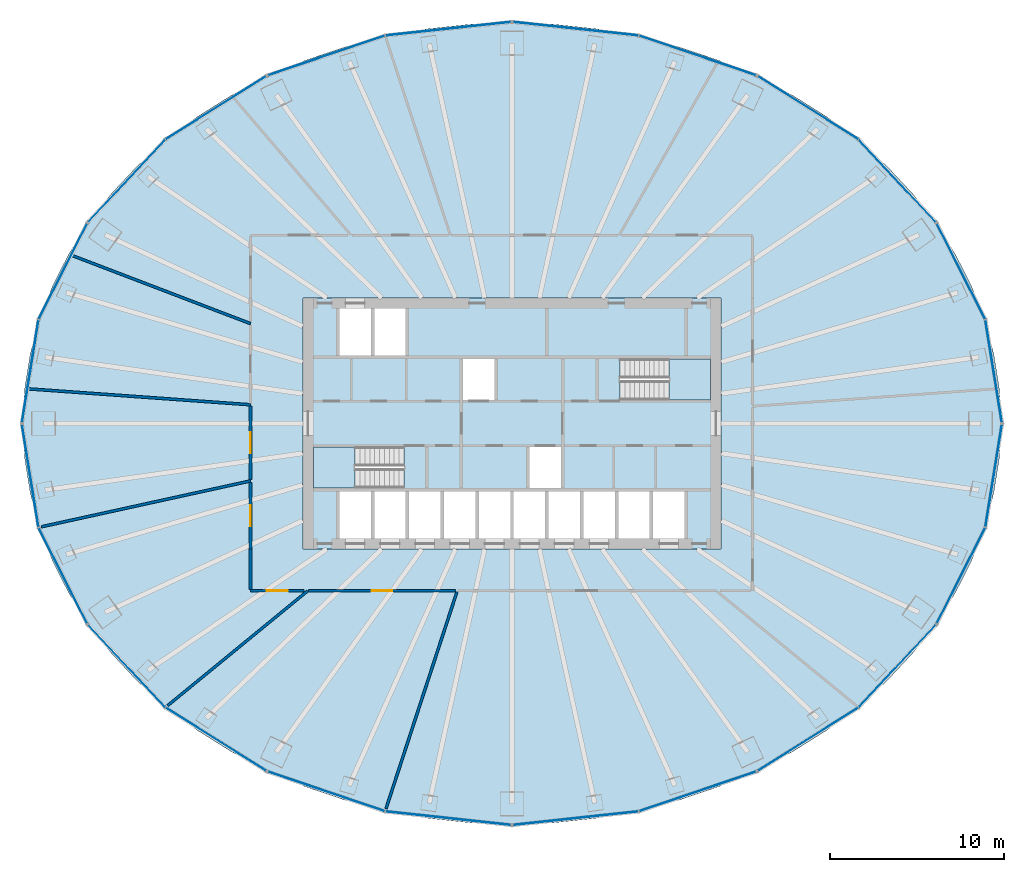
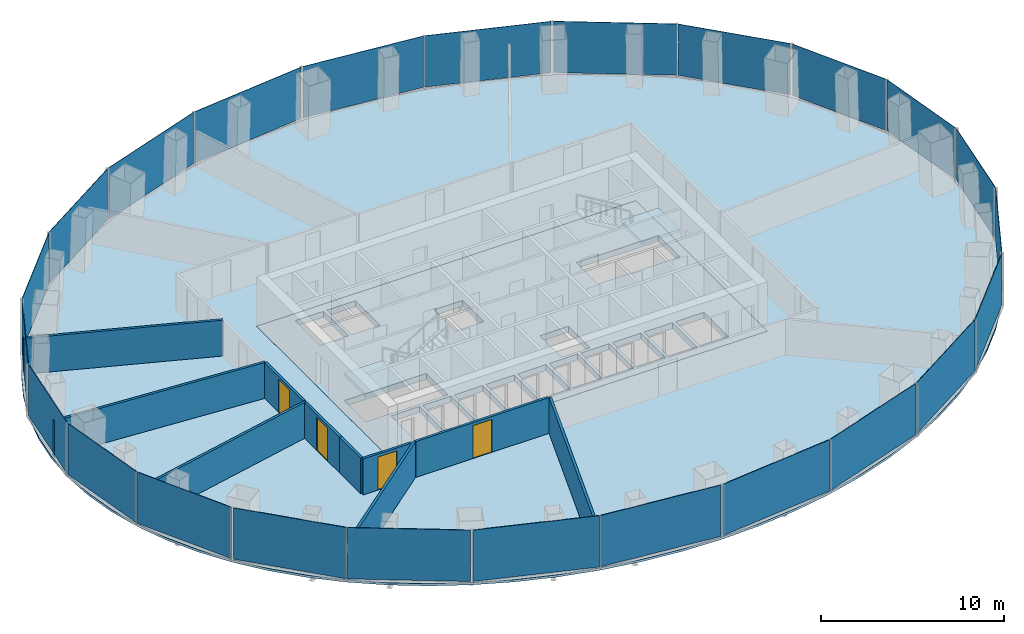
# One storey, part 7 of 11: 24 plates, 10 walls, 4 doors, 4 slabs, 4 openings, 14 elements without a shape of their own.
"""IFC4 building model written with IfcOpenShell, lengths in metres."""

from ifc_helpers import new_model, si_unit, direction, frame, frame_2d, origin, origin_2d, place, context, subcontext, project, spatial, polyline, rectangle, outline, extrude, material, layer, layer_set, type_object, element, fill, aggregate, save


model = new_model("IFC4")

# Units and contexts
model_context = context("Model", 3, precision=1e-05, world=origin(), true_north=direction((0.0, 1.0)))
body_context = subcontext(model_context, "Body", "Model", "MODEL_VIEW")
ifc_project = project(units=[si_unit("LENGTHUNIT", "METRE"), si_unit("AREAUNIT", "SQUARE_METRE"), si_unit("VOLUMEUNIT", "CUBIC_METRE"), si_unit("PLANEANGLEUNIT", "RADIAN"), si_unit("MASSUNIT", "GRAM", prefix="KILO")], contexts=[model_context])

# Site, building, storey
site_placement = place(None, origin())
site = spatial("IfcSite", under=ifc_project, at=site_placement, CompositionType="ELEMENT")
building_placement = place(site_placement, origin())
building = spatial("IfcBuilding", under=site, at=building_placement, Name="Siaravel Broadcast Tower", CompositionType="ELEMENT")
storey_placement = place(building_placement, frame((0.0, 0.0, 44.5)))
storey = spatial("IfcBuildingStorey", under=building, at=storey_placement, Name="L09", CompositionType="ELEMENT", Elevation=44.5)

# Curtain wall, plates
ifc_material_1 = material(Name="Aluminium 6063-T6", Category="aluminium")
ifc_layer_1 = layer(ifc_material_1, 0.219970703125)
ifc_layer_set_1 = layer_set([ifc_layer_1], Name="Aluminium 6063-T6")
curtain_wall_type = type_object("IfcCurtainWallType", Name="Unitised curtain wall, zone 1", PredefinedType="NOTDEFINED", material=ifc_layer_set_1)
curtain_wall_1_placement = place(storey_placement, origin())
curtain_wall_1 = element("IfcCurtainWall", 1, at=curtain_wall_1_placement, inside=storey, type_object=curtain_wall_type, Name="L09 Unitised curtain wall, zone 1 01", PredefinedType="NOTDEFINED")
ifc_material_2 = material(Name="Tinted laminated glass", Category="glass")
ifc_layer_2 = layer(ifc_material_2, 0.031982421875)
ifc_layer_set_2 = layer_set([ifc_layer_2], Name="Tinted laminated glass")
plate_type = type_object("IfcPlateType", Name="CW-Z1 glass panel", PredefinedType="CURTAIN_PANEL", material=ifc_layer_set_2)
plate_1_placement = place(storey_placement, frame((27.6337890625, 3.0, 0.1201171875), z_axis=(0.0, 0.0, 1.0), x_axis=(-0.158685802, 0.987329133, 0.0)))
plate_1 = element("IfcPlate", 2, at=plate_1_placement, type_object=plate_type, Name="CW-Z1 glass panel", PredefinedType="CURTAIN_PANEL", context=body_context, shape_type="SweptSolid", body=[
    extrude(rectangle(XDim=5.937255859375, YDim=0.031982421875, at=origin_2d()), origin(), (0.0, 0.0, 1.0), 3.429931640625),
])
plate_2_placement = place(storey_placement, frame((25.760009765625, 8.72900390625, 0.1201171875), z_axis=(0.0, 0.0, 1.0), x_axis=(-0.451261399, 0.892391814, 0.0)))
plate_2 = element("IfcPlate", 3, at=plate_2_placement, type_object=plate_type, Name="CW-Z1 glass panel", PredefinedType="CURTAIN_PANEL", context=body_context, shape_type="SweptSolid", body=[
    extrude(rectangle(XDim=6.123046875, YDim=0.031982421875, at=origin_2d()), origin(), (0.0, 0.0, 1.0), 3.429931640625),
])
aggregate(curtain_wall_1, [plate_1, plate_2])

curtain_wall_2_placement = place(storey_placement, origin())
curtain_wall_2 = element("IfcCurtainWall", 4, at=curtain_wall_2_placement, inside=storey, type_object=curtain_wall_type, Name="L09 Unitised curtain wall, zone 1 02", PredefinedType="NOTDEFINED")
plate_3_placement = place(storey_placement, frame((22.10009765625, 13.921875, 0.1201171875), z_axis=(0.0, 0.0, 1.0), x_axis=(-0.683655426, 0.729804946, 0.0)))
plate_3 = element("IfcPlate", 5, at=plate_3_placement, type_object=plate_type, Name="CW-Z1 glass panel", PredefinedType="CURTAIN_PANEL", context=body_context, shape_type="SweptSolid", body=[
    extrude(rectangle(XDim=6.4326171875, YDim=0.031982421875, at=origin_2d()), origin(), (0.0, 0.0, 1.0), 3.429931640625),
])
plate_4_placement = place(storey_placement, frame((16.980712890625, 18.115234375, 0.1201171875), z_axis=(0.0, 0.0, 1.0), x_axis=(-0.846650657, 0.532149101, 0.0)))
plate_4 = element("IfcPlate", 6, at=plate_4_placement, type_object=plate_type, Name="CW-Z1 glass panel", PredefinedType="CURTAIN_PANEL", context=body_context, shape_type="SweptSolid", body=[
    extrude(rectangle(XDim=6.772705078125, YDim=0.031982421875, at=origin_2d()), origin(), (0.0, 0.0, 1.0), 3.429931640625),
])
aggregate(curtain_wall_2, [plate_3, plate_4])

curtain_wall_3_placement = place(storey_placement, origin())
curtain_wall_3 = element("IfcCurtainWall", 7, at=curtain_wall_3_placement, inside=storey, type_object=curtain_wall_type, Name="L09 Unitised curtain wall, zone 1 03", PredefinedType="NOTDEFINED")
plate_5_placement = place(storey_placement, frame((10.64794921875, 21.1103515625, 0.1201171875), z_axis=(0.0, 0.0, 1.0), x_axis=(-0.946977246, 0.321300632, 0.0)))
plate_5 = element("IfcPlate", 8, at=plate_5_placement, type_object=plate_type, Name="CW-Z1 glass panel", PredefinedType="CURTAIN_PANEL", context=body_context, shape_type="SweptSolid", body=[
    extrude(rectangle(XDim=7.05419921875, YDim=0.031982421875, at=origin_2d()), origin(), (0.0, 0.0, 1.0), 3.429931640625),
])
plate_6_placement = place(storey_placement, frame((3.65478515625, 22.645263671875, 0.1201171875), z_axis=(0.0, 0.0, 1.0), x_axis=(-0.994235589, 0.107217509, 0.0)))
plate_6 = element("IfcPlate", 9, at=plate_6_placement, type_object=plate_type, Name="CW-Z1 glass panel", PredefinedType="CURTAIN_PANEL", context=body_context, shape_type="SweptSolid", body=[
    extrude(rectangle(XDim=7.2119140625, YDim=0.031982421875, at=origin_2d()), origin(), (0.0, 0.0, 1.0), 3.429931640625),
])
aggregate(curtain_wall_3, [plate_5, plate_6])

curtain_wall_4_placement = place(storey_placement, origin())
curtain_wall_4 = element("IfcCurtainWall", 10, at=curtain_wall_4_placement, inside=storey, type_object=curtain_wall_type, Name="L09 Unitised curtain wall, zone 1 04", PredefinedType="NOTDEFINED")
plate_7_placement = place(storey_placement, frame((-3.65478515625, 22.645263671875, 0.1201171875), z_axis=(0.0, 0.0, 1.0), x_axis=(-0.994235589, -0.107217509, 0.0)))
plate_7 = element("IfcPlate", 11, at=plate_7_placement, type_object=plate_type, Name="CW-Z1 glass panel", PredefinedType="CURTAIN_PANEL", context=body_context, shape_type="SweptSolid", body=[
    extrude(rectangle(XDim=7.2119140625, YDim=0.031982421875, at=origin_2d()), origin(), (0.0, 0.0, 1.0), 3.429931640625),
])
plate_8_placement = place(storey_placement, frame((-10.64794921875, 21.1103515625, 0.1201171875), z_axis=(0.0, 0.0, 1.0), x_axis=(-0.946977246, -0.321300632, 0.0)))
plate_8 = element("IfcPlate", 12, at=plate_8_placement, type_object=plate_type, Name="CW-Z1 glass panel", PredefinedType="CURTAIN_PANEL", context=body_context, shape_type="SweptSolid", body=[
    extrude(rectangle(XDim=7.05419921875, YDim=0.031982421875, at=origin_2d()), origin(), (0.0, 0.0, 1.0), 3.429931640625),
])
aggregate(curtain_wall_4, [plate_7, plate_8])

curtain_wall_5_placement = place(storey_placement, origin())
curtain_wall_5 = element("IfcCurtainWall", 13, at=curtain_wall_5_placement, inside=storey, type_object=curtain_wall_type, Name="L09 Unitised curtain wall, zone 1 05", PredefinedType="NOTDEFINED")
plate_9_placement = place(storey_placement, frame((-16.980712890625, 18.115234375, 0.1201171875), z_axis=(0.0, 0.0, 1.0), x_axis=(-0.846650657, -0.532149101, 0.0)))
plate_9 = element("IfcPlate", 14, at=plate_9_placement, type_object=plate_type, Name="CW-Z1 glass panel", PredefinedType="CURTAIN_PANEL", context=body_context, shape_type="SweptSolid", body=[
    extrude(rectangle(XDim=6.772705078125, YDim=0.031982421875, at=origin_2d()), origin(), (0.0, 0.0, 1.0), 3.429931640625),
])
plate_10_placement = place(storey_placement, frame((-22.10009765625, 13.921875, 0.1201171875), z_axis=(0.0, 0.0, 1.0), x_axis=(-0.683655426, -0.729804946, 0.0)))
plate_10 = element("IfcPlate", 15, at=plate_10_placement, type_object=plate_type, Name="CW-Z1 glass panel", PredefinedType="CURTAIN_PANEL", context=body_context, shape_type="SweptSolid", body=[
    extrude(rectangle(XDim=6.4326171875, YDim=0.031982421875, at=origin_2d()), origin(), (0.0, 0.0, 1.0), 3.429931640625),
])
aggregate(curtain_wall_5, [plate_9, plate_10])

curtain_wall_6_placement = place(storey_placement, origin())
curtain_wall_6 = element("IfcCurtainWall", 16, at=curtain_wall_6_placement, inside=storey, type_object=curtain_wall_type, Name="L09 Unitised curtain wall, zone 1 06", PredefinedType="NOTDEFINED")
plate_11_placement = place(storey_placement, frame((-25.760009765625, 8.72900390625, 0.1201171875), z_axis=(0.0, 0.0, 1.0), x_axis=(-0.451261399, -0.892391814, 0.0)))
plate_11 = element("IfcPlate", 17, at=plate_11_placement, type_object=plate_type, Name="CW-Z1 glass panel", PredefinedType="CURTAIN_PANEL", context=body_context, shape_type="SweptSolid", body=[
    extrude(rectangle(XDim=6.123046875, YDim=0.031982421875, at=origin_2d()), origin(), (0.0, 0.0, 1.0), 3.429931640625),
])
plate_12_placement = place(storey_placement, frame((-27.6337890625, 3.0, 0.1201171875), z_axis=(0.0, 0.0, 1.0), x_axis=(-0.158685802, -0.987329133, 0.0)))
plate_12 = element("IfcPlate", 18, at=plate_12_placement, type_object=plate_type, Name="CW-Z1 glass panel", PredefinedType="CURTAIN_PANEL", context=body_context, shape_type="SweptSolid", body=[
    extrude(rectangle(XDim=5.937255859375, YDim=0.031982421875, at=origin_2d()), origin(), (0.0, 0.0, 1.0), 3.429931640625),
])
aggregate(curtain_wall_6, [plate_11, plate_12])

curtain_wall_7_placement = place(storey_placement, origin())
curtain_wall_7 = element("IfcCurtainWall", 19, at=curtain_wall_7_placement, inside=storey, type_object=curtain_wall_type, Name="L09 Unitised curtain wall, zone 1 07", PredefinedType="NOTDEFINED")
plate_13_placement = place(storey_placement, frame((-27.6337890625, -3.0, 0.1201171875), z_axis=(0.0, 0.0, 1.0), x_axis=(0.158685802, -0.987329133, 0.0)))
plate_13 = element("IfcPlate", 20, at=plate_13_placement, type_object=plate_type, Name="CW-Z1 glass panel", PredefinedType="CURTAIN_PANEL", context=body_context, shape_type="SweptSolid", body=[
    extrude(rectangle(XDim=5.937255859375, YDim=0.031982421875, at=origin_2d()), origin(), (0.0, 0.0, 1.0), 3.429931640625),
])
plate_14_placement = place(storey_placement, frame((-25.760009765625, -8.72900390625, 0.1201171875), z_axis=(0.0, 0.0, 1.0), x_axis=(0.451261399, -0.892391814, 0.0)))
plate_14 = element("IfcPlate", 21, at=plate_14_placement, type_object=plate_type, Name="CW-Z1 glass panel", PredefinedType="CURTAIN_PANEL", context=body_context, shape_type="SweptSolid", body=[
    extrude(rectangle(XDim=6.123046875, YDim=0.031982421875, at=origin_2d()), origin(), (0.0, 0.0, 1.0), 3.429931640625),
])
aggregate(curtain_wall_7, [plate_13, plate_14])

curtain_wall_8_placement = place(storey_placement, origin())
curtain_wall_8 = element("IfcCurtainWall", 22, at=curtain_wall_8_placement, inside=storey, type_object=curtain_wall_type, Name="L09 Unitised curtain wall, zone 1 08", PredefinedType="NOTDEFINED")
plate_15_placement = place(storey_placement, frame((-22.10009765625, -13.921875, 0.1201171875), z_axis=(0.0, 0.0, 1.0), x_axis=(0.683655426, -0.729804946, 0.0)))
plate_15 = element("IfcPlate", 23, at=plate_15_placement, type_object=plate_type, Name="CW-Z1 glass panel", PredefinedType="CURTAIN_PANEL", context=body_context, shape_type="SweptSolid", body=[
    extrude(rectangle(XDim=6.4326171875, YDim=0.031982421875, at=origin_2d()), origin(), (0.0, 0.0, 1.0), 3.429931640625),
])
plate_16_placement = place(storey_placement, frame((-16.980712890625, -18.115234375, 0.1201171875), z_axis=(0.0, 0.0, 1.0), x_axis=(0.846650657, -0.532149101, 0.0)))
plate_16 = element("IfcPlate", 24, at=plate_16_placement, type_object=plate_type, Name="CW-Z1 glass panel", PredefinedType="CURTAIN_PANEL", context=body_context, shape_type="SweptSolid", body=[
    extrude(rectangle(XDim=6.772705078125, YDim=0.031982421875, at=origin_2d()), origin(), (0.0, 0.0, 1.0), 3.429931640625),
])
aggregate(curtain_wall_8, [plate_15, plate_16])

curtain_wall_9_placement = place(storey_placement, origin())
curtain_wall_9 = element("IfcCurtainWall", 25, at=curtain_wall_9_placement, inside=storey, type_object=curtain_wall_type, Name="L09 Unitised curtain wall, zone 1 09", PredefinedType="NOTDEFINED")
plate_17_placement = place(storey_placement, frame((-10.64794921875, -21.1103515625, 0.1201171875), z_axis=(0.0, 0.0, 1.0), x_axis=(0.946977246, -0.321300632, 0.0)))
plate_17 = element("IfcPlate", 26, at=plate_17_placement, type_object=plate_type, Name="CW-Z1 glass panel", PredefinedType="CURTAIN_PANEL", context=body_context, shape_type="SweptSolid", body=[
    extrude(rectangle(XDim=7.05419921875, YDim=0.031982421875, at=origin_2d()), origin(), (0.0, 0.0, 1.0), 3.429931640625),
])
plate_18_placement = place(storey_placement, frame((-3.65478515625, -22.645263671875, 0.1201171875), z_axis=(0.0, 0.0, 1.0), x_axis=(0.994235589, -0.107217509, 0.0)))
plate_18 = element("IfcPlate", 27, at=plate_18_placement, type_object=plate_type, Name="CW-Z1 glass panel", PredefinedType="CURTAIN_PANEL", context=body_context, shape_type="SweptSolid", body=[
    extrude(rectangle(XDim=7.2119140625, YDim=0.031982421875, at=origin_2d()), origin(), (0.0, 0.0, 1.0), 3.429931640625),
])
aggregate(curtain_wall_9, [plate_17, plate_18])

curtain_wall_10_placement = place(storey_placement, origin())
curtain_wall_10 = element("IfcCurtainWall", 28, at=curtain_wall_10_placement, inside=storey, type_object=curtain_wall_type, Name="L09 Unitised curtain wall, zone 1 10", PredefinedType="NOTDEFINED")
plate_19_placement = place(storey_placement, frame((3.65478515625, -22.645263671875, 0.1201171875), z_axis=(0.0, 0.0, 1.0), x_axis=(0.994235589, 0.107217509, 0.0)))
plate_19 = element("IfcPlate", 29, at=plate_19_placement, type_object=plate_type, Name="CW-Z1 glass panel", PredefinedType="CURTAIN_PANEL", context=body_context, shape_type="SweptSolid", body=[
    extrude(rectangle(XDim=7.2119140625, YDim=0.031982421875, at=origin_2d()), origin(), (0.0, 0.0, 1.0), 3.429931640625),
])
plate_20_placement = place(storey_placement, frame((10.64794921875, -21.1103515625, 0.1201171875), z_axis=(0.0, 0.0, 1.0), x_axis=(0.946977246, 0.321300632, 0.0)))
plate_20 = element("IfcPlate", 30, at=plate_20_placement, type_object=plate_type, Name="CW-Z1 glass panel", PredefinedType="CURTAIN_PANEL", context=body_context, shape_type="SweptSolid", body=[
    extrude(rectangle(XDim=7.05419921875, YDim=0.031982421875, at=origin_2d()), origin(), (0.0, 0.0, 1.0), 3.429931640625),
])
aggregate(curtain_wall_10, [plate_19, plate_20])

curtain_wall_11_placement = place(storey_placement, origin())
curtain_wall_11 = element("IfcCurtainWall", 31, at=curtain_wall_11_placement, inside=storey, type_object=curtain_wall_type, Name="L09 Unitised curtain wall, zone 1 11", PredefinedType="NOTDEFINED")
plate_21_placement = place(storey_placement, frame((16.980712890625, -18.115234375, 0.1201171875), z_axis=(0.0, 0.0, 1.0), x_axis=(0.846650657, 0.532149101, 0.0)))
plate_21 = element("IfcPlate", 32, at=plate_21_placement, type_object=plate_type, Name="CW-Z1 glass panel", PredefinedType="CURTAIN_PANEL", context=body_context, shape_type="SweptSolid", body=[
    extrude(rectangle(XDim=6.772705078125, YDim=0.031982421875, at=origin_2d()), origin(), (0.0, 0.0, 1.0), 3.429931640625),
])
plate_22_placement = place(storey_placement, frame((22.10009765625, -13.921875, 0.1201171875), z_axis=(0.0, 0.0, 1.0), x_axis=(0.683655426, 0.729804946, 0.0)))
plate_22 = element("IfcPlate", 33, at=plate_22_placement, type_object=plate_type, Name="CW-Z1 glass panel", PredefinedType="CURTAIN_PANEL", context=body_context, shape_type="SweptSolid", body=[
    extrude(rectangle(XDim=6.4326171875, YDim=0.031982421875, at=origin_2d()), origin(), (0.0, 0.0, 1.0), 3.429931640625),
])
aggregate(curtain_wall_11, [plate_21, plate_22])

curtain_wall_12_placement = place(storey_placement, origin())
curtain_wall_12 = element("IfcCurtainWall", 34, at=curtain_wall_12_placement, inside=storey, type_object=curtain_wall_type, Name="L09 Unitised curtain wall, zone 1 12", PredefinedType="NOTDEFINED")
plate_23_placement = place(storey_placement, frame((25.760009765625, -8.72900390625, 0.1201171875), z_axis=(0.0, 0.0, 1.0), x_axis=(0.451261399, 0.892391814, 0.0)))
plate_23 = element("IfcPlate", 35, at=plate_23_placement, type_object=plate_type, Name="CW-Z1 glass panel", PredefinedType="CURTAIN_PANEL", context=body_context, shape_type="SweptSolid", body=[
    extrude(rectangle(XDim=6.123046875, YDim=0.031982421875, at=origin_2d()), origin(), (0.0, 0.0, 1.0), 3.429931640625),
])
plate_24_placement = place(storey_placement, frame((27.6337890625, -3.0, 0.1201171875), z_axis=(0.0, 0.0, 1.0), x_axis=(0.158685802, 0.987329133, 0.0)))
plate_24 = element("IfcPlate", 36, at=plate_24_placement, type_object=plate_type, Name="CW-Z1 glass panel", PredefinedType="CURTAIN_PANEL", context=body_context, shape_type="SweptSolid", body=[
    extrude(rectangle(XDim=5.937255859375, YDim=0.031982421875, at=origin_2d()), origin(), (0.0, 0.0, 1.0), 3.429931640625),
])
aggregate(curtain_wall_12, [plate_23, plate_24])

# Slabs
ifc_material_3 = material(Name="Concrete C40/50", Category="concrete")
ifc_layer_3 = layer(ifc_material_3, 0.39990234375)
ifc_layer_set_3 = layer_set([ifc_layer_3], Name="Concrete C40/50")
slab_type_1 = type_object("IfcSlabType", Name="Core floor slab 400", PredefinedType="FLOOR", material=ifc_layer_set_3)
slab_1_placement = place(storey_placement, frame((0.0, 0.0, -0.39990234375)))
element("IfcSlab", 37, at=slab_1_placement, inside=storey, type_object=slab_type_1, Name="L09 core floor", PredefinedType="FLOOR", context=body_context, shape_type="SweptSolid", body=[
    extrude(outline(polyline([(-12.0, -7.199951171875), (-12.0, 7.199951171875), (12.0, 7.199951171875), (12.0, -7.199951171875), (-12.0, -7.199951171875)]), holes=[polyline([(11.3994140625, 1.3505859375), (11.3994140625, 3.699462890625), (6.200439453125, 3.699462890625), (6.200439453125, 1.3505859375), (11.3994140625, 1.3505859375)]), polyline([(9.89990234375, -3.89990234375), (8.10009765625, -3.89990234375), (8.10009765625, -6.60009765625), (9.89990234375, -6.60009765625), (9.89990234375, -3.89990234375)]), polyline([(7.89990234375, -3.89990234375), (6.10009765625, -3.89990234375), (6.10009765625, -6.60009765625), (7.89990234375, -6.60009765625), (7.89990234375, -3.89990234375)]), polyline([(5.89990234375, -3.89990234375), (4.10009765625, -3.89990234375), (4.10009765625, -6.60009765625), (5.89990234375, -6.60009765625), (5.89990234375, -3.89990234375)]), polyline([(3.89990234375, -3.89990234375), (2.10009765625, -3.89990234375), (2.10009765625, -6.60009765625), (3.89990234375, -6.60009765625), (3.89990234375, -3.89990234375)]), polyline([(2.800048828125, -1.35009765625), (1.0, -1.35009765625), (1.0, -3.699951171875), (2.800048828125, -3.699951171875), (2.800048828125, -1.35009765625)]), polyline([(1.89990234375, -3.89990234375), (0.10009765625, -3.89990234375), (0.10009765625, -6.60009765625), (1.89990234375, -6.60009765625), (1.89990234375, -3.89990234375)]), polyline([(-0.10009765625, -3.89990234375), (-1.89990234375, -3.89990234375), (-1.89990234375, -6.60009765625), (-0.10009765625, -6.60009765625), (-0.10009765625, -3.89990234375)]), polyline([(-1.0, 3.699951171875), (-2.800048828125, 3.699951171875), (-2.800048828125, 1.35009765625), (-1.0, 1.35009765625), (-1.0, 3.699951171875)]), polyline([(-2.10009765625, -3.89990234375), (-3.89990234375, -3.89990234375), (-3.89990234375, -6.60009765625), (-2.10009765625, -6.60009765625), (-2.10009765625, -3.89990234375)]), polyline([(-4.10009765625, -3.89990234375), (-5.89990234375, -3.89990234375), (-5.89990234375, -6.60009765625), (-4.10009765625, -6.60009765625), (-4.10009765625, -3.89990234375)]), polyline([(-6.10009765625, -3.89990234375), (-7.89990234375, -3.89990234375), (-7.89990234375, -6.60009765625), (-6.10009765625, -6.60009765625), (-6.10009765625, -3.89990234375)]), polyline([(-6.10009765625, 6.60009765625), (-7.89990234375, 6.60009765625), (-7.89990234375, 3.89990234375), (-6.10009765625, 3.89990234375), (-6.10009765625, 6.60009765625)]), polyline([(-11.3994140625, -1.3505859375), (-11.3994140625, -3.699462890625), (-6.200439453125, -3.699462890625), (-6.200439453125, -1.3505859375), (-11.3994140625, -1.3505859375)]), polyline([(-8.10009765625, -3.89990234375), (-9.89990234375, -3.89990234375), (-9.89990234375, -6.60009765625), (-8.10009765625, -6.60009765625), (-8.10009765625, -3.89990234375)]), polyline([(-8.10009765625, 6.60009765625), (-9.89990234375, 6.60009765625), (-9.89990234375, 3.89990234375), (-8.10009765625, 3.89990234375), (-8.10009765625, 6.60009765625)])]), origin(), (0.0, 0.0, 1.0), 0.39990234375),
])
ifc_layer_4 = layer(ifc_material_3, 0.14990234375)
ifc_layer_set_4 = layer_set([ifc_layer_4], Name="Concrete C40/50")
slab_type_2 = type_object("IfcSlabType", Name="SLB-FLOOR-150", PredefinedType="FLOOR", material=ifc_layer_set_4)
slab_2_placement = place(storey_placement, frame((0.0, 0.0, -0.14990234375)))
element("IfcSlab", 38, at=slab_2_placement, inside=storey, type_object=slab_type_2, Name="Floor slab", PredefinedType="FLOOR", context=body_context, shape_type="SweptSolid", body=[
    extrude(outline(polyline([(28.066162109375, 0.0), (27.959228515625, 2.003662109375), (27.6396484375, 3.9921875), (27.10986328125, 5.9501953125), (26.37353515625, 7.86279296875), (25.4365234375, 9.7158203125), (24.305908203125, 11.49462890625), (22.990478515625, 13.18603515625), (21.5, 14.777099609375), (19.845703125, 16.255859375), (18.04052734375, 17.61083984375), (16.09814453125, 18.831787109375), (14.033203125, 19.9091796875), (11.861083984375, 20.83544921875), (9.59912109375, 21.602783203125), (7.263916015625, 22.2060546875), (4.87353515625, 22.639892578125), (2.446044921875, 22.90185546875), (0.0, 22.9892578125), (-2.446044921875, 22.90185546875), (-4.87353515625, 22.639892578125), (-7.263916015625, 22.2060546875), (-9.59912109375, 21.602783203125), (-11.861083984375, 20.83544921875), (-14.032958984375, 19.9091796875), (-16.09814453125, 18.831787109375), (-18.04052734375, 17.61083984375), (-19.845703125, 16.255859375), (-21.5, 14.777099609375), (-22.990478515625, 13.18603515625), (-24.305908203125, 11.49462890625), (-25.4365234375, 9.7158203125), (-26.37353515625, 7.86279296875), (-27.10986328125, 5.9501953125), (-27.6396484375, 3.9921875), (-27.959228515625, 2.003662109375), (-28.066162109375, 0.0), (-27.959228515625, -2.003662109375), (-27.6396484375, -3.9921875), (-27.10986328125, -5.9501953125), (-26.37353515625, -7.86279296875), (-25.4365234375, -9.7158203125), (-24.305908203125, -11.49462890625), (-22.990478515625, -13.18603515625), (-21.5, -14.777099609375), (-19.845703125, -16.255859375), (-18.04052734375, -17.61083984375), (-16.09814453125, -18.831787109375), (-14.033203125, -19.9091796875), (-11.861083984375, -20.83544921875), (-9.59912109375, -21.602783203125), (-7.263916015625, -22.2060546875), (-4.87353515625, -22.639892578125), (-2.446044921875, -22.90185546875), (0.0, -22.9892578125), (2.446044921875, -22.90185546875), (4.87353515625, -22.639892578125), (7.263916015625, -22.2060546875), (9.59912109375, -21.602783203125), (11.861083984375, -20.83544921875), (14.033203125, -19.9091796875), (16.09814453125, -18.831787109375), (18.04052734375, -17.61083984375), (19.845703125, -16.255859375), (21.5, -14.777099609375), (22.990478515625, -13.18603515625), (24.305908203125, -11.49462890625), (25.4365234375, -9.7158203125), (26.37353515625, -7.86279296875), (27.10986328125, -5.9501953125), (27.6396484375, -3.9921875), (27.959228515625, -2.003662109375), (28.066162109375, 0.0)]), holes=[polyline([(-12.0, 7.199951171875), (12.0, 7.199951171875), (12.0, -7.199951171875), (-12.0, -7.199951171875), (-12.0, 7.199951171875)])]), origin(), (0.0, 0.0, 1.0), 0.14990234375),
])

# Stair, slab
stair_type = type_object("IfcStairType", Name="Core exit stair", PredefinedType="HALF_TURN_STAIR", material=ifc_material_3)
stair_1_placement = place(storey_placement, origin())
stair_1 = element("IfcStair", 39, at=stair_1_placement, inside=storey, type_object=stair_type, Name="L09 Exit stair ST-1", PredefinedType="HALF_TURN_STAIR")
ifc_layer_5 = layer(ifc_material_3, 0.199951171875)
ifc_layer_set_5 = layer_set([ifc_layer_5], Name="Concrete C40/50")
slab_type_3 = type_object("IfcSlabType", Name="Stair landing", PredefinedType="LANDING", material=ifc_layer_set_5)
slab_3_placement = place(storey_placement, frame((0.0, 0.0, 1.64990234375)))
slab_3 = element("IfcSlab", 40, at=slab_3_placement, type_object=slab_type_3, Name="ST-1 landing 1", PredefinedType="LANDING", context=body_context, shape_type="SweptSolid", body=[
    extrude(outline(polyline([(-9.0, -1.35009765625), (-11.39990234375, -1.35009765625), (-11.39990234375, -3.699951171875), (-9.0, -3.699951171875), (-9.0, -1.35009765625)])), origin(), (0.0, 0.0, 1.0), 0.2001953125),
])
aggregate(stair_1, [slab_3])

stair_2_placement = place(storey_placement, origin())
stair_2 = element("IfcStair", 41, at=stair_2_placement, inside=storey, type_object=stair_type, Name="L09 Exit stair ST-2", PredefinedType="HALF_TURN_STAIR")
slab_4_placement = place(storey_placement, frame((0.0, 0.0, 1.64990234375)))
slab_4 = element("IfcSlab", 42, at=slab_4_placement, type_object=slab_type_3, Name="ST-2 landing 1", PredefinedType="LANDING", context=body_context, shape_type="SweptSolid", body=[
    extrude(outline(polyline([(9.0, 1.35009765625), (11.39990234375, 1.35009765625), (11.39990234375, 3.699951171875), (9.0, 3.699951171875), (9.0, 1.35009765625)])), origin(), (0.0, 0.0, 1.0), 0.2001953125),
])
aggregate(stair_2, [slab_4])

# Wall, opening, door
ifc_material_4 = material(Name="Gypsum board partition", Category="gypsum")
ifc_layer_6 = layer(ifc_material_4, 0.14990234375)
ifc_layer_set_6 = layer_set([ifc_layer_6], Name="Gypsum board partition")
wall_type_1 = type_object("IfcWallType", Name="Corridor wall 150", PredefinedType="PARTITIONING", material=ifc_layer_set_6)
wall_1_placement = place(storey_placement, frame((-11.67041015625, -9.60009765625, 0.0), z_axis=(0.0, 0.0, 1.0), x_axis=(1.0, 0.0, 0.0)))
wall_1 = element("IfcWall", 43, at=wall_1_placement, inside=storey, type_object=wall_type_1, Name="L09 partition 13", PredefinedType="PARTITIONING", context=body_context, shape_type="SweptSolid", body=[
    extrude(rectangle(XDim=8.424560546875, YDim=0.14990234375, at=frame_2d((4.21240234375, 0.0))), origin(), (0.0, 0.0, 1.0), 2.39990234375),
])
opening_1_placement = place(wall_1_placement, frame((3.6123046875, 0.0, 0.0)))
opening_1 = element("IfcOpeningElement", 44, at=opening_1_placement, cuts=wall_1, Name="Opening L09-013", PredefinedType="OPENING", context=body_context, shape_type="SweptSolid", body=[
    extrude(rectangle(XDim=1.199951171875, YDim=2.199951171875, at=frame_2d((0.60009765625, 1.10009765625))), frame((0.0, 0.0849609375, 0.0), z_axis=(0.0, -1.0, 0.0), x_axis=(1.0, 0.0, 0.0)), (0.0, 0.0, 1.0), 0.169921875),
])
ifc_material_5 = material(Name="Timber veneer", Category="wood")
door_type = type_object("IfcDoorType", Name="Office double door 1200", OperationType="DOUBLE_DOOR_SINGLE_SWING", PredefinedType="DOOR", material=ifc_material_5)
door_1_placement = place(opening_1_placement, origin())
door_1 = element("IfcDoor", 45, at=door_1_placement, inside=storey, type_object=door_type, Name="L09 door to Open plan newsroom", OperationType="DOUBLE_DOOR_SINGLE_SWING", OverallHeight=2.199951171875, OverallWidth=1.199951171875, PredefinedType="DOOR", context=body_context, shape_type="SweptSolid", body=[
    extrude(rectangle(XDim=1.199951171875, YDim=2.199951171875, at=frame_2d((0.60009765625, 1.10009765625))), frame((0.0, 0.02490234375, 0.0), z_axis=(0.0, -1.0, 0.0), x_axis=(1.0, 0.0, 0.0)), (0.0, 0.0, 1.0), 0.050048828125),
])
fill(opening_1, door_1)

wall_2_placement = place(storey_placement, frame((-15.0, 0.998046875, 0.0), z_axis=(0.0, 0.0, 1.0), x_axis=(0.0, -1.0, 0.0)))
wall_2 = element("IfcWall", 46, at=wall_2_placement, inside=storey, type_object=wall_type_1, Name="L09 partition 20", PredefinedType="PARTITIONING", context=body_context, shape_type="SweptSolid", body=[
    extrude(rectangle(XDim=4.215087890625, YDim=0.14990234375, at=frame_2d((2.107421875, 0.0))), origin(), (0.0, 0.0, 1.0), 2.39990234375),
])
opening_2_placement = place(wall_2_placement, frame((1.507568359375, 0.0, 0.0)))
opening_2 = element("IfcOpeningElement", 47, at=opening_2_placement, cuts=wall_2, Name="Opening L09-010", PredefinedType="OPENING", context=body_context, shape_type="SweptSolid", body=[
    extrude(rectangle(XDim=1.199951171875, YDim=2.199951171875, at=frame_2d((0.60009765625, 1.10009765625))), frame((0.0, 0.0849609375, 0.0), z_axis=(0.0, -1.0, 0.0), x_axis=(1.0, 0.0, 0.0)), (0.0, 0.0, 1.0), 0.169921875),
])
door_2_placement = place(opening_2_placement, origin())
door_2 = element("IfcDoor", 48, at=door_2_placement, inside=storey, type_object=door_type, Name="L09 door to Newsroom desk office", OperationType="DOUBLE_DOOR_SINGLE_SWING", OverallHeight=2.199951171875, OverallWidth=1.199951171875, PredefinedType="DOOR", context=body_context, shape_type="SweptSolid", body=[
    extrude(rectangle(XDim=1.199951171875, YDim=2.199951171875, at=frame_2d((0.60009765625, 1.10009765625))), frame((0.0, 0.02490234375, 0.0), z_axis=(0.0, -1.0, 0.0), x_axis=(1.0, 0.0, 0.0)), (0.0, 0.0, 1.0), 0.050048828125),
])
fill(opening_2, door_2)

wall_3_placement = place(storey_placement, frame((-15.0, -3.387451171875, 0.0), z_axis=(0.0, 0.0, 1.0), x_axis=(0.0, -1.0, 0.0)))
wall_3 = element("IfcWall", 49, at=wall_3_placement, inside=storey, type_object=wall_type_1, Name="L09 partition 21", PredefinedType="PARTITIONING", context=body_context, shape_type="SweptSolid", body=[
    extrude(rectangle(XDim=3.824462890625, YDim=0.14990234375, at=frame_2d((1.912109375, 0.0))), origin(), (0.0, 0.0, 1.0), 2.39990234375),
])
opening_3_placement = place(wall_3_placement, frame((1.312255859375, 0.0, 0.0)))
opening_3 = element("IfcOpeningElement", 50, at=opening_3_placement, cuts=wall_3, Name="Opening L09-011", PredefinedType="OPENING", context=body_context, shape_type="SweptSolid", body=[
    extrude(rectangle(XDim=1.199951171875, YDim=2.199951171875, at=frame_2d((0.60009765625, 1.10009765625))), frame((0.0, 0.0849609375, 0.0), z_axis=(0.0, -1.0, 0.0), x_axis=(1.0, 0.0, 0.0)), (0.0, 0.0, 1.0), 0.169921875),
])
door_3_placement = place(opening_3_placement, origin())
door_3 = element("IfcDoor", 51, at=door_3_placement, inside=storey, type_object=door_type, Name="L09 door to Open plan newsroom", OperationType="DOUBLE_DOOR_SINGLE_SWING", OverallHeight=2.199951171875, OverallWidth=1.199951171875, PredefinedType="DOOR", context=body_context, shape_type="SweptSolid", body=[
    extrude(rectangle(XDim=1.199951171875, YDim=2.199951171875, at=frame_2d((0.60009765625, 1.10009765625))), frame((0.0, 0.02490234375, 0.0), z_axis=(0.0, -1.0, 0.0), x_axis=(1.0, 0.0, 0.0)), (0.0, 0.0, 1.0), 0.050048828125),
])
fill(opening_3, door_3)

wall_4_placement = place(storey_placement, frame((-15.0, -9.60009765625, 0.0), z_axis=(0.0, 0.0, 1.0), x_axis=(1.0, 0.0, 0.0)))
wall_4 = element("IfcWall", 52, at=wall_4_placement, inside=storey, type_object=wall_type_1, Name="L09 partition 24", PredefinedType="PARTITIONING", context=body_context, shape_type="SweptSolid", body=[
    extrude(rectangle(XDim=3.068115234375, YDim=0.14990234375, at=frame_2d((1.5341796875, 0.0))), origin(), (0.0, 0.0, 1.0), 2.39990234375),
])
opening_4_placement = place(wall_4_placement, frame((0.93408203125, 0.0, 0.0)))
opening_4 = element("IfcOpeningElement", 53, at=opening_4_placement, cuts=wall_4, Name="Opening L09-012", PredefinedType="OPENING", context=body_context, shape_type="SweptSolid", body=[
    extrude(rectangle(XDim=1.199951171875, YDim=2.199951171875, at=frame_2d((0.60009765625, 1.10009765625))), frame((0.0, 0.0849609375, 0.0), z_axis=(0.0, -1.0, 0.0), x_axis=(1.0, 0.0, 0.0)), (0.0, 0.0, 1.0), 0.169921875),
])
door_4_placement = place(opening_4_placement, origin())
door_4 = element("IfcDoor", 54, at=door_4_placement, inside=storey, type_object=door_type, Name="L09 door to Open plan newsroom", OperationType="DOUBLE_DOOR_SINGLE_SWING", OverallHeight=2.199951171875, OverallWidth=1.199951171875, PredefinedType="DOOR", context=body_context, shape_type="SweptSolid", body=[
    extrude(rectangle(XDim=1.199951171875, YDim=2.199951171875, at=frame_2d((0.60009765625, 1.10009765625))), frame((0.0, 0.02490234375, 0.0), z_axis=(0.0, -1.0, 0.0), x_axis=(1.0, 0.0, 0.0)), (0.0, 0.0, 1.0), 0.050048828125),
])
fill(opening_4, door_4)

# Walls
wall_5_placement = place(storey_placement, frame((-15.0, -7.212890625, 0.0), z_axis=(0.0, 0.0, 1.0), x_axis=(0.0, -1.0, 0.0)))
element("IfcWall", 55, at=wall_5_placement, inside=storey, type_object=wall_type_1, Name="L09 partition 25", PredefinedType="PARTITIONING", context=body_context, shape_type="SweptSolid", body=[
    extrude(rectangle(XDim=2.31005859375, YDim=0.14990234375, at=frame_2d((1.155029296875, 0.0))), origin(), (0.0, 0.0, 1.0), 2.39990234375),
])
ifc_layer_7 = layer(ifc_material_4, 0.14990234375)
ifc_layer_set_7 = layer_set([ifc_layer_7], Name="Gypsum board partition")
wall_type_2 = type_object("IfcWallType", Name="Room partition 150", PredefinedType="PARTITIONING", material=ifc_layer_set_7)
wall_6_placement = place(storey_placement, frame((-7.226318359375, -22.0908203125, 0.0), z_axis=(0.0, 0.0, 1.0), x_axis=(0.310909896, 0.950439391, 0.0)))
element("IfcWall", 56, at=wall_6_placement, inside=storey, type_object=wall_type_2, Name="L09 partition 3", PredefinedType="PARTITIONING", context=body_context, shape_type="SweptSolid", body=[
    extrude(rectangle(XDim=13.06884765625, YDim=0.14990234375, at=frame_2d((6.534423828125, 0.0))), origin(), (0.0, 0.0, 1.0), 2.39990234375),
])
wall_7_placement = place(storey_placement, frame((-27.83984375, 1.9951171875, 0.0), z_axis=(0.0, 0.0, 1.0), x_axis=(0.997441921, -0.071481568, 0.0)))
element("IfcWall", 57, at=wall_7_placement, inside=storey, type_object=wall_type_2, Name="L09 partition 4", PredefinedType="PARTITIONING", context=body_context, shape_type="SweptSolid", body=[
    extrude(rectangle(XDim=12.872802734375, YDim=0.14990234375, at=frame_2d((6.4365234375, 0.0))), origin(), (0.0, 0.0, 1.0), 2.39990234375),
])
wall_8_placement = place(storey_placement, frame((-26.9912109375, -5.924072265625, 0.0), z_axis=(0.0, 0.0, 1.0), x_axis=(0.976750844, 0.214377679, 0.0)))
element("IfcWall", 58, at=wall_8_placement, inside=storey, type_object=wall_type_2, Name="L09 partition 5", PredefinedType="PARTITIONING", context=body_context, shape_type="SweptSolid", body=[
    extrude(rectangle(XDim=12.276611328125, YDim=0.14990234375, at=frame_2d((6.13818359375, 0.0))), origin(), (0.0, 0.0, 1.0), 2.39990234375),
])
wall_9_placement = place(storey_placement, frame((-25.323974609375, 9.672607421875, 0.0), z_axis=(0.0, 0.0, 1.0), x_axis=(0.934181171, -0.356799018, 0.0)))
element("IfcWall", 59, at=wall_9_placement, inside=storey, type_object=wall_type_2, Name="L09 partition 8", PredefinedType="PARTITIONING", context=body_context, shape_type="SweptSolid", body=[
    extrude(rectangle(XDim=11.05126953125, YDim=0.14990234375, at=frame_2d((5.525634765625, 0.0))), origin(), (0.0, 0.0, 1.0), 2.39990234375),
])
wall_10_placement = place(storey_placement, frame((-19.750244140625, -16.177734375, 0.0), z_axis=(0.0, 0.0, 1.0), x_axis=(0.773607181, 0.633665471, 0.0)))
element("IfcWall", 60, at=wall_10_placement, inside=storey, type_object=wall_type_2, Name="L09 partition 10", PredefinedType="PARTITIONING", context=body_context, shape_type="SweptSolid", body=[
    extrude(rectangle(XDim=10.38037109375, YDim=0.14990234375, at=frame_2d((5.190185546875, 0.0))), origin(), (0.0, 0.0, 1.0), 2.39990234375),
])

save(model, "model.ifc")
